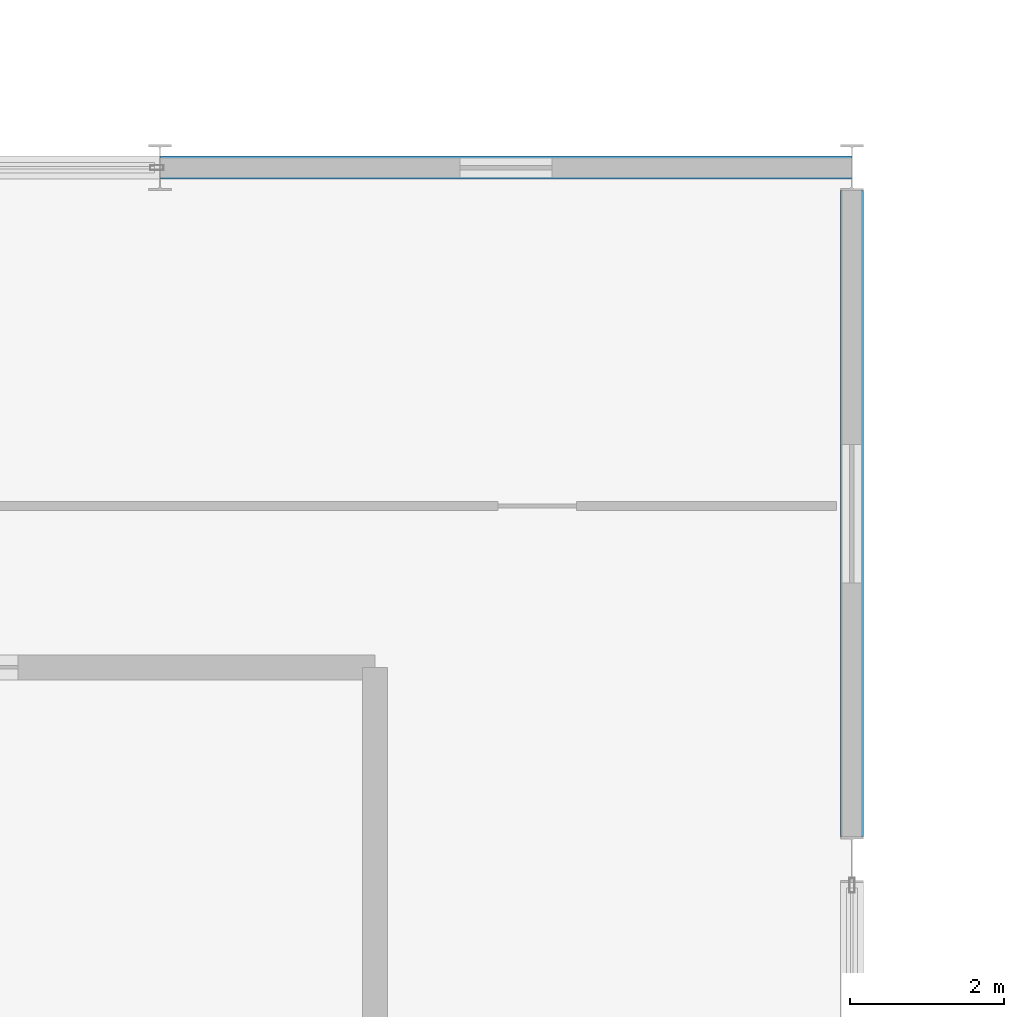
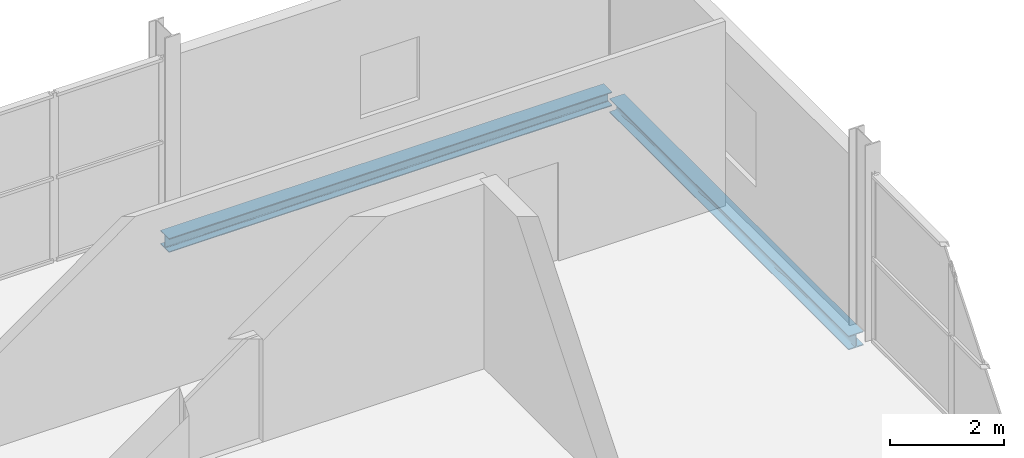
# One storey, part 28 of 44: 2 beams.
"""IFC4 building model written with IfcOpenShell, lengths in metres."""

from ifc_helpers import new_model, si_unit, direction, frame, origin, origin_2d, place, context, subcontext, project, spatial, i_section, extrude, material, material_profile, profile_set, type_object, element, save


model = new_model("IFC4")

# Units and contexts
model_context = context("Model", 3, precision=1e-05, world=origin(), true_north=direction((0.0, 1.0)))
body_context = subcontext(model_context, "Body", "Model", "MODEL_VIEW")
ifc_project = project(units=[si_unit("LENGTHUNIT", "METRE"), si_unit("AREAUNIT", "SQUARE_METRE"), si_unit("VOLUMEUNIT", "CUBIC_METRE"), si_unit("PLANEANGLEUNIT", "RADIAN"), si_unit("MASSUNIT", "GRAM", prefix="KILO")], contexts=[model_context])

# Site, building, storey
site_placement = place(None, origin())
site = spatial("IfcSite", under=ifc_project, at=site_placement, CompositionType="ELEMENT")
building_placement = place(site_placement, origin())
building = spatial("IfcBuilding", under=site, at=building_placement, Name="Deido Ridge Mobility Hub", CompositionType="ELEMENT")
storey_placement = place(building_placement, frame((0.0, 0.0, 25.199951171875)))
storey = spatial("IfcBuildingStorey", under=building, at=storey_placement, Name="L06", CompositionType="ELEMENT", Elevation=25.199951171875)

# Beams
ifc_material = material(Name="Steel S355J2 EN 10025-2", Category="steel")
ifc_material_profile = material_profile(ifc_material, i_section(OverallWidth=0.300048828125, OverallDepth=0.300048828125, WebThickness=0.010986328125, FlangeThickness=0.01904296875, FilletRadius=0.027099609375, at=origin_2d()), Name="HEB 300")
ifc_profile_set = profile_set([ifc_material_profile], Name="Steel S355J2 EN 10025-2")
beam_type = type_object("IfcBeamType", Name="SPD-HEB300", PredefinedType="SPANDREL", material=ifc_profile_set)
beam_1_placement = place(storey_placement, frame((171.0078125, 54.0, -0.389892578125), z_axis=(1.0, 0.0, 0.0), x_axis=(0.0, 1.0, 0.0)))
element("IfcBeam", 1, at=beam_1_placement, inside=storey, type_object=beam_type, Name="Floor beam SP1", PredefinedType="SPANDREL", context=body_context, shape_type="SweptSolid", body=[
    extrude(i_section(OverallWidth=0.300048828125, OverallDepth=0.300048828125, WebThickness=0.010986328125, FlangeThickness=0.01904296875, FilletRadius=0.027099609375, at=origin_2d()), origin(), (0.0, 0.0, 1.0), 8.984375),
])
beam_2_placement = place(storey_placement, frame((180.0, 45.300048828125, -0.389892578125), z_axis=(0.0, 1.0, 0.0), x_axis=(-1.0, 0.0, 0.0)))
element("IfcBeam", 2, at=beam_2_placement, inside=storey, type_object=beam_type, Name="Floor beam SP1", PredefinedType="SPANDREL", context=body_context, shape_type="SweptSolid", body=[
    extrude(i_section(OverallWidth=0.300048828125, OverallDepth=0.300048828125, WebThickness=0.010986328125, FlangeThickness=0.01904296875, FilletRadius=0.027099609375, at=origin_2d()), origin(), (0.0, 0.0, 1.0), 8.39990234375),
])

save(model, "model.ifc")
